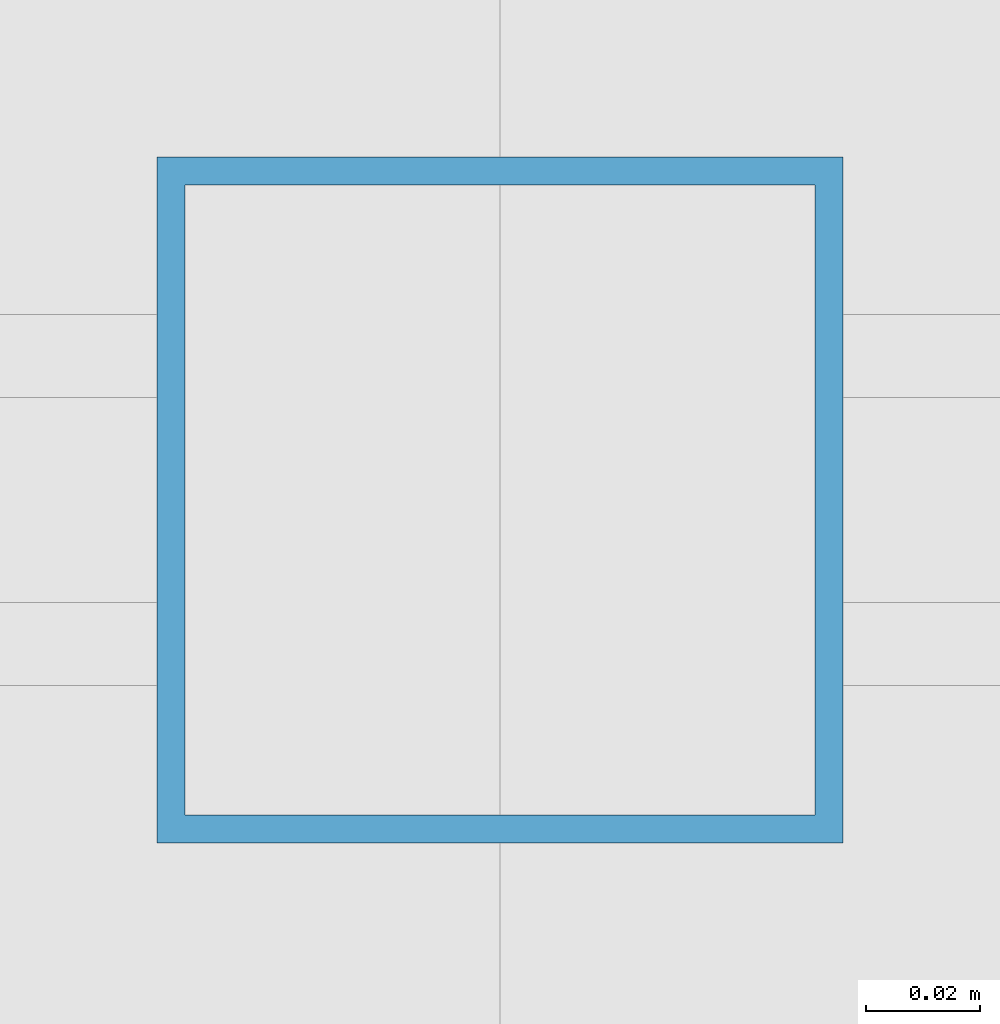
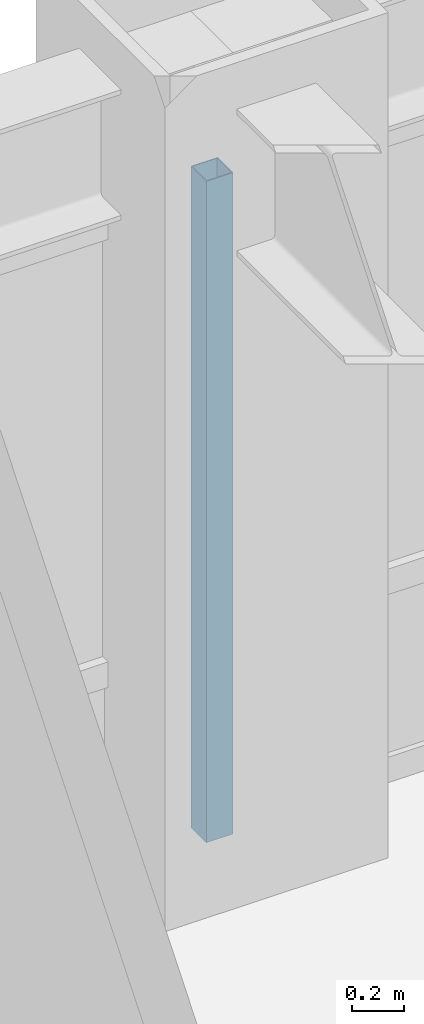
# One storey, part 16 of 25: 1 member, 1 element without a shape of its own.
"""IFC4 building model written with IfcOpenShell, lengths in metres."""

from ifc_helpers import new_model, si_unit, direction, frame, origin, origin_2d, place, context, subcontext, project, spatial, hollow_rectangle, extrude, source, transform, mapped, material, material_profile, profile_set, type_object, element, aggregate, save


model = new_model("IFC4")

# Units and contexts
model_context = context("Model", 3, precision=1e-05, world=origin(), true_north=direction((0.0, 1.0)))
body_context = subcontext(model_context, "Body", "Model", "MODEL_VIEW")
ifc_project = project(units=[si_unit("LENGTHUNIT", "METRE"), si_unit("AREAUNIT", "SQUARE_METRE"), si_unit("VOLUMEUNIT", "CUBIC_METRE"), si_unit("PLANEANGLEUNIT", "RADIAN"), si_unit("MASSUNIT", "GRAM", prefix="KILO")], contexts=[model_context])

# Site, building, storey
site_placement = place(None, origin())
site = spatial("IfcSite", under=ifc_project, at=site_placement, CompositionType="ELEMENT")
building_placement = place(site_placement, origin())
building = spatial("IfcBuilding", under=site, at=building_placement, Name="Khorayat Bourse Tower", CompositionType="ELEMENT")
storey_placement = place(building_placement, frame((0.0, 0.0, 247.10009765625)))
storey = spatial("IfcBuildingStorey", under=building, at=storey_placement, Name="L58", CompositionType="ELEMENT", Elevation=247.10009765625)

# Curtain wall, member
ifc_material = material(Name="Aluminium EN AW-6063 T6", Category="aluminium")
curtain_wall_type = type_object("IfcCurtainWallType", Name="CW-SYS-03", PredefinedType="NOTDEFINED", material=ifc_material)
curtain_wall_placement = place(storey_placement, origin())
curtain_wall = element("IfcCurtainWall", 1, at=curtain_wall_placement, inside=storey, type_object=curtain_wall_type, Name="L58 Curtain Wall CW-L58-N1", PredefinedType="NOTDEFINED")
ifc_material_profile = material_profile(ifc_material, hollow_rectangle(XDim=0.1201171875, YDim=0.1201171875, WallThickness=0.0048828125, at=origin_2d()), Name="ALU 120x120x5")
ifc_profile_set = profile_set([ifc_material_profile], Name="Aluminium EN AW-6063 T6")
member_type = type_object("IfcMemberType", Name="CWM-VERT-120", PredefinedType="MULLION", material=ifc_profile_set)
shared_shape = source(origin(), body_context, "Body", "SweptSolid", [
    extrude(hollow_rectangle(XDim=0.1201171875, YDim=0.1201171875, WallThickness=0.0048828125, at=origin_2d()), origin(), (0.0, 0.0, 1.0), 3.1298828125),
])
member_placement = place(storey_placement, frame((0.0, 30.0, 0.0), z_axis=(0.0, 0.0, 1.0), x_axis=(0.0, 1.0, 0.0)))
member = element("IfcMember", 2, at=member_placement, type_object=member_type, Name="CW-L58-N1 Vertical Mullion 2", PredefinedType="MULLION", context=body_context, shape_type="MappedRepresentation", body=[
    mapped(shared_shape, transform((0.0, 0.0, 0.0), scale=1.0)),
])
aggregate(curtain_wall, [member])

save(model, "model.ifc")
